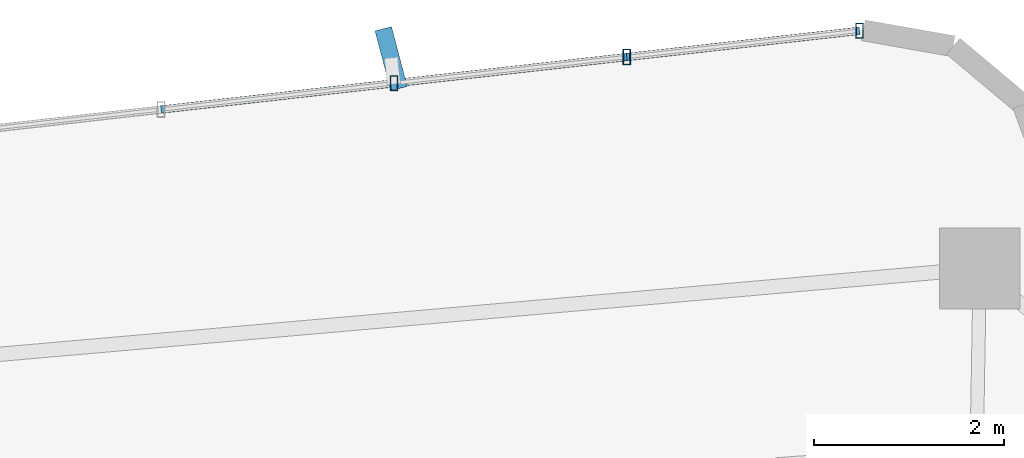
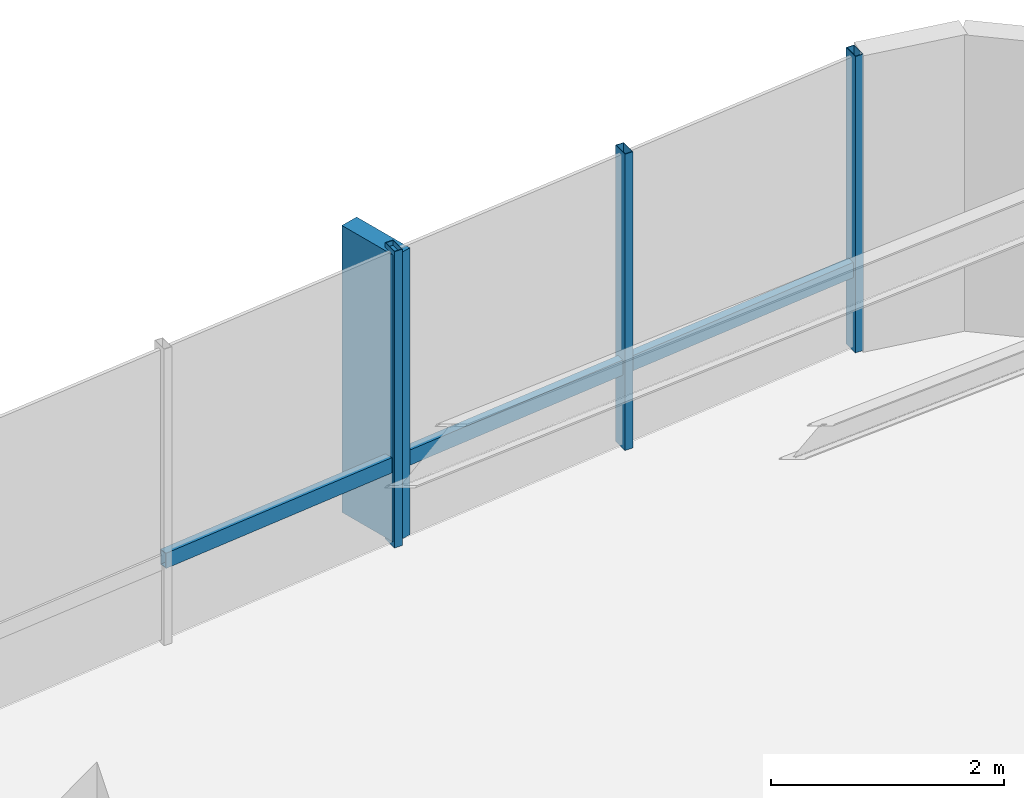
# One storey, part 18 of 24: 7 members, 1 element without a shape of its own.
"""IFC4 building model written with IfcOpenShell, lengths in metres."""

from ifc_helpers import new_model, si_unit, direction, frame, origin, origin_2d, place, context, subcontext, project, spatial, rectangle, hollow_rectangle, extrude, source, transform, mapped, material, material_profile, profile_set, type_object, element, aggregate, save


model = new_model("IFC4")

# Units and contexts
model_context = context("Model", 3, precision=1e-05, world=origin(), true_north=direction((0.0, 1.0)))
body_context = subcontext(model_context, "Body", "Model", "MODEL_VIEW")
ifc_project = project(units=[si_unit("LENGTHUNIT", "METRE"), si_unit("AREAUNIT", "SQUARE_METRE"), si_unit("VOLUMEUNIT", "CUBIC_METRE"), si_unit("PLANEANGLEUNIT", "RADIAN"), si_unit("MASSUNIT", "GRAM", prefix="KILO")], contexts=[model_context])

# Site, building, storey
site_placement = place(None, origin())
site = spatial("IfcSite", under=ifc_project, at=site_placement, CompositionType="ELEMENT")
building_placement = place(site_placement, origin())
building = spatial("IfcBuilding", under=site, at=building_placement, Name="Sahyath Konkavel Grand Hotel", CompositionType="ELEMENT")
storey_placement = place(building_placement, frame((0.0, 0.0, 160.64990234375)))
storey = spatial("IfcBuildingStorey", under=building, at=storey_placement, Name="L44", CompositionType="ELEMENT", Elevation=160.64990234375)

# Curtain wall, members
ifc_material_1 = material(Name="Anodised Bronze Aluminium & Low-E Glazing", Category="aluminium")
curtain_wall_type = type_object("IfcCurtainWallType", Name="CW-ZONE3", PredefinedType="NOTDEFINED", material=ifc_material_1)
curtain_wall_placement = place(storey_placement, origin())
curtain_wall = element("IfcCurtainWall", 1, at=curtain_wall_placement, inside=storey, type_object=curtain_wall_type, Name="L44 Unitised Curtain Wall F12", PredefinedType="NOTDEFINED")
ifc_material_2 = material(Name="Warm Buff Sandstone Cladding on Concrete C50/60", Category="masonry")
ifc_material_profile_1 = material_profile(ifc_material_2, rectangle(XDim=0.179931640625, YDim=0.64990234375, at=origin_2d()), Name="FIN 180x650")
ifc_profile_set_1 = profile_set([ifc_material_profile_1], Name="Warm Buff Sandstone Cladding on Concrete C50/60")
member_type_1 = type_object("IfcMemberType", Name="FIN-SANDSTONE-650", PredefinedType="MULLION", material=ifc_profile_set_1)
shared_shape_1 = source(origin(), body_context, "Body", "SweptSolid", [
    extrude(rectangle(XDim=0.179931640625, YDim=0.64990234375, at=origin_2d()), origin(), (0.0, 0.0, 1.0), 3.010009765625),
])
member_1_placement = place(storey_placement, frame((-2.248291015625, 20.3173828125, 0.050048828125), z_axis=(0.0, 0.0, 1.0), x_axis=(0.967134752842, 0.254264369988, 0.0)))
member_1 = element("IfcMember", 2, at=member_1_placement, type_object=member_type_1, Name="L44 Sandstone Vertical Solar Fin FIN F12-2", PredefinedType="MULLION", context=body_context, shape_type="MappedRepresentation", body=[
    mapped(shared_shape_1, transform((0.0, 0.0, 0.0), scale=1.0)),
])
ifc_material_3 = material(Name="Anodised Bronze Aluminium", Category="aluminium")
ifc_material_profile_2 = material_profile(ifc_material_3, hollow_rectangle(XDim=0.080078125, YDim=0.159912109375, WallThickness=0.006103515625, at=origin_2d()), Name="RHS 160x80x6")
ifc_profile_set_2 = profile_set([ifc_material_profile_2], Name="Anodised Bronze Aluminium")
member_type_2 = type_object("IfcMemberType", Name="CW-MUL-160", PredefinedType="MULLION", material=ifc_profile_set_2)
shared_shape_2 = source(origin(), body_context, "Body", "SweptSolid", [
    extrude(hollow_rectangle(XDim=0.080078125, YDim=0.159912109375, WallThickness=0.006103515625, at=origin_2d()), origin(), (0.0, 0.0, 1.0), 3.110107421875),
])
member_2_placement = place(storey_placement, frame((2.673828125, 20.610595703125, 0.0), z_axis=(0.0, 0.0, 1.0), x_axis=(1.0, 0.0, 0.0)))
member_2 = element("IfcMember", 3, at=member_2_placement, type_object=member_type_2, Name="L44 Curtain Wall Mullion F12-0", PredefinedType="MULLION", context=body_context, shape_type="MappedRepresentation", body=[
    mapped(shared_shape_2, transform((0.0, 0.0, 0.0), scale=1.0)),
])
member_3_placement = place(storey_placement, frame((0.227294921875, 20.334716796875, 0.0), z_axis=(0.0, 0.0, 1.0), x_axis=(1.0, 0.0, 0.0)))
member_3 = element("IfcMember", 4, at=member_3_placement, type_object=member_type_2, Name="L44 Curtain Wall Mullion F12-1", PredefinedType="MULLION", context=body_context, shape_type="MappedRepresentation", body=[
    mapped(shared_shape_2, transform((0.0, 0.0, 0.0), scale=1.0)),
])
member_4_placement = place(storey_placement, frame((-2.21923828125, 20.05908203125, 0.0), z_axis=(0.0, 0.0, 1.0), x_axis=(1.0, 0.0, 0.0)))
member_4 = element("IfcMember", 5, at=member_4_placement, type_object=member_type_2, Name="L44 Curtain Wall Mullion F12-2", PredefinedType="MULLION", context=body_context, shape_type="MappedRepresentation", body=[
    mapped(shared_shape_2, transform((0.0, 0.0, 0.0), scale=1.0)),
])
ifc_material_profile_3 = material_profile(ifc_material_3, hollow_rectangle(XDim=0.080078125, YDim=0.159912109375, WallThickness=0.006103515625, at=origin_2d()), Name="RHS 160x80x6")
ifc_profile_set_3 = profile_set([ifc_material_profile_3], Name="Anodised Bronze Aluminium")
member_type_3 = type_object("IfcMemberType", Name="CW-TRN-160", PredefinedType="USERDEFINED", material=ifc_profile_set_3)
shared_shape_3 = source(origin(), body_context, "Body", "SweptSolid", [
    extrude(hollow_rectangle(XDim=0.080078125, YDim=0.159912109375, WallThickness=0.006103515625, at=origin_2d()), origin(), (0.0, 0.0, 1.0), 2.462158203125),
])
member_5_placement = place(storey_placement, frame((2.673828125, 20.610595703125, 0.85009765625), z_axis=(-0.99370222711, -0.112053040279, 0.0), x_axis=(0.112053040279, -0.99370222711, 0.0)))
member_5 = element("IfcMember", 6, at=member_5_placement, type_object=member_type_3, Name="L44 Curtain Wall Transom F12-0-spandrel", ObjectType="TRANSOM", PredefinedType="USERDEFINED", context=body_context, shape_type="MappedRepresentation", body=[
    mapped(shared_shape_3, transform((0.0, 0.0, 0.0), scale=1.0)),
])
member_6_placement = place(storey_placement, frame((-2.21923828125, 20.05908203125, 0.85009765625), z_axis=(-0.99370222711, -0.112053040279, 0.0), x_axis=(0.112053040279, -0.99370222711, 0.0)))
member_6 = element("IfcMember", 7, at=member_6_placement, type_object=member_type_3, Name="L44 Curtain Wall Transom F12-2-spandrel", ObjectType="TRANSOM", PredefinedType="USERDEFINED", context=body_context, shape_type="MappedRepresentation", body=[
    mapped(shared_shape_3, transform((0.0, 0.0, 0.0), scale=1.0)),
])
shared_shape_4 = source(origin(), body_context, "Body", "SweptSolid", [
    extrude(hollow_rectangle(XDim=0.080078125, YDim=0.159912109375, WallThickness=0.006103515625, at=origin_2d()), origin(), (0.0, 0.0, 1.0), 2.4619140625),
])
member_7_placement = place(storey_placement, frame((0.227294921875, 20.334716796875, 0.85009765625), z_axis=(-0.993713263833, -0.111955121731, 0.0), x_axis=(0.111955121731, -0.993713263833, 0.0)))
member_7 = element("IfcMember", 8, at=member_7_placement, type_object=member_type_3, Name="L44 Curtain Wall Transom F12-1-spandrel", ObjectType="TRANSOM", PredefinedType="USERDEFINED", context=body_context, shape_type="MappedRepresentation", body=[
    mapped(shared_shape_4, transform((0.0, 0.0, 0.0), scale=1.0)),
])
aggregate(curtain_wall, [member_2, member_3, member_4, member_1, member_5, member_7, member_6])

save(model, "model.ifc")
